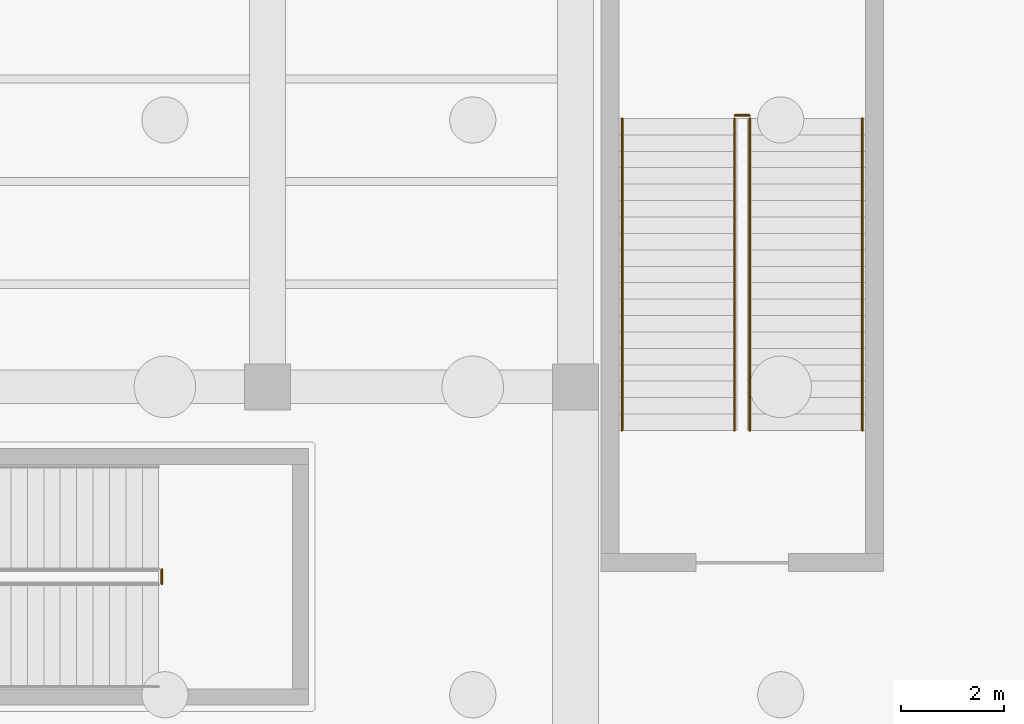
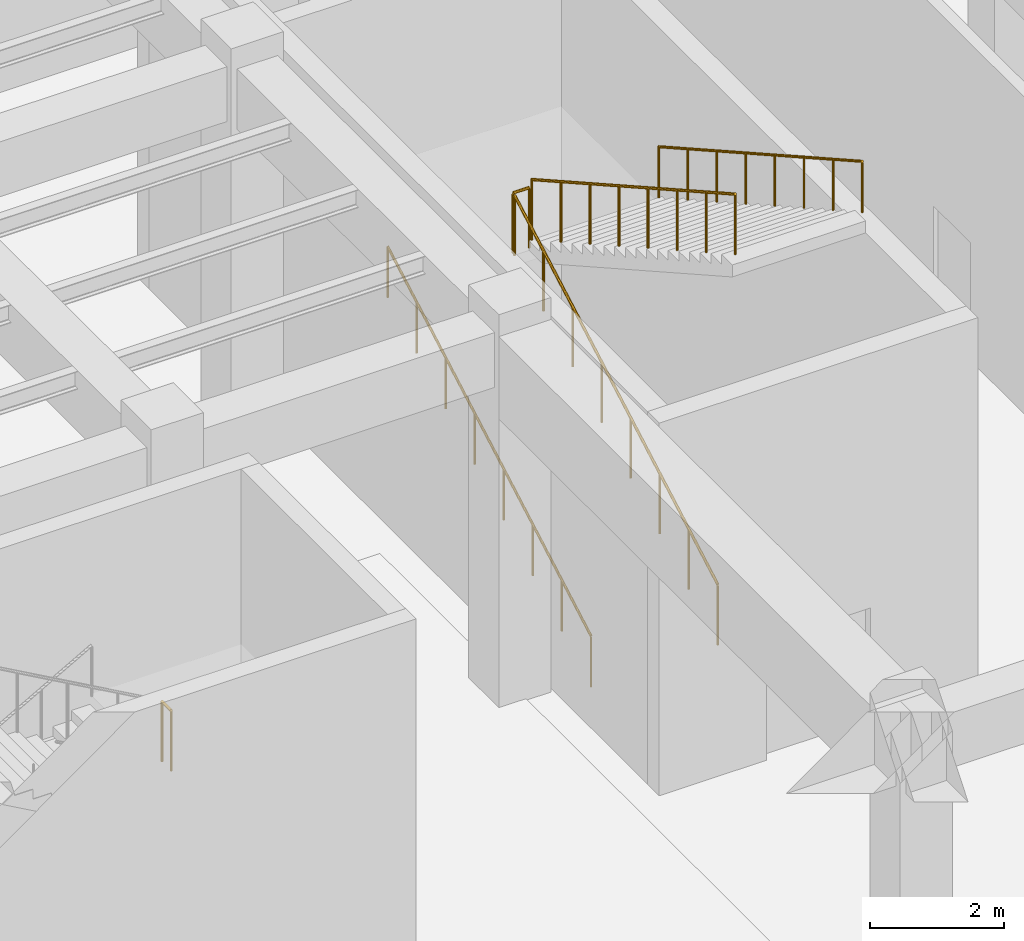
# One storey, part 28 of 30: 6 railings, 2 elements without a shape of their own.
"""IFC4 building model written with IfcOpenShell, lengths in metres."""

from ifc_helpers import new_model, si_unit, direction, frame, origin, origin_2d, place, context, subcontext, project, spatial, circle, extrude, material, type_object, element, aggregate, save


model = new_model("IFC4")

# Units and contexts
model_context = context("Model", 3, precision=1e-05, world=origin(), true_north=direction((0.0, 1.0)))
body_context = subcontext(model_context, "Body", "Model", "MODEL_VIEW")
ifc_project = project(units=[si_unit("LENGTHUNIT", "METRE"), si_unit("AREAUNIT", "SQUARE_METRE"), si_unit("VOLUMEUNIT", "CUBIC_METRE"), si_unit("PLANEANGLEUNIT", "RADIAN"), si_unit("MASSUNIT", "GRAM", prefix="KILO")], contexts=[model_context])

# Site, building, storey
site_placement = place(None, origin())
site = spatial("IfcSite", under=ifc_project, at=site_placement, CompositionType="ELEMENT")
building_placement = place(site_placement, origin())
building = spatial("IfcBuilding", under=site, at=building_placement, Name="Kolvaren Corner Interchange", CompositionType="ELEMENT")
storey_placement = place(building_placement, frame((0.0, 0.0, -7.199951171875)))
storey = spatial("IfcBuildingStorey", under=building, at=storey_placement, Name="B1", CompositionType="ELEMENT", Elevation=-7.199951171875)

# Stair, railings
ifc_material_1 = material(Name="Concrete C35/45", Category="concrete")
stair_type_1 = type_object("IfcStairType", Name="ST-TR-2300", PredefinedType="HALF_TURN_STAIR", material=ifc_material_1)
stair_1_placement = place(storey_placement, origin())
stair_1 = element("IfcStair", 1, at=stair_1_placement, inside=storey, type_object=stair_type_1, Name="Core C4 East Concourse Transfer Stair B1 to L01 Stair", PredefinedType="HALF_TURN_STAIR")
ifc_material_2 = material(Name="Powder-Coated Steel Stairwell Guardrail", Category="steel")
railing_type_1 = type_object("IfcRailingType", Name="RLT-STAIR-GRD1120", PredefinedType="GUARDRAIL", material=ifc_material_2)
railing_1_placement = place(storey_placement, frame((117.10009765625, 53.14990234375, 0.179931640625)))
railing_1 = element("IfcRailing", 2, at=railing_1_placement, type_object=railing_type_1, Name="Core C4 East Concourse Transfer Stair B1 Lower Flight Well Guardrail", PredefinedType="GUARDRAIL", context=body_context, shape_type="SweptSolid", body=[
    extrude(circle(Radius=0.02392578125, at=origin_2d()), frame((0.0, 0.0, 1.09619140625), z_axis=(0.0, 0.871583014279, 0.490247946676), x_axis=(-1.0, 0.0, 0.0)), (0.0, 0.0, 1.0), 6.975830078125),
    extrude(circle(Radius=0.02001953125, at=origin_2d()), origin(), (0.0, 0.0, 1.0), 1.072021484375),
    extrude(circle(Radius=0.02001953125, at=origin_2d()), frame((0.0, 0.86865234375, 0.488525390625)), (0.0, 0.0, 1.0), 1.072021484375),
    extrude(circle(Radius=0.02001953125, at=origin_2d()), frame((0.0, 1.737060546875, 0.97705078125)), (0.0, 0.0, 1.0), 1.072021484375),
    extrude(circle(Radius=0.02001953125, at=origin_2d()), frame((0.0, 2.605712890625, 1.465576171875)), (0.0, 0.0, 1.0), 1.072021484375),
    extrude(circle(Radius=0.02001953125, at=origin_2d()), frame((0.0, 3.474365234375, 1.954345703125)), (0.0, 0.0, 1.0), 1.072021484375),
    extrude(circle(Radius=0.02001953125, at=origin_2d()), frame((0.0, 4.343017578125, 2.44287109375)), (0.0, 0.0, 1.0), 1.072021484375),
    extrude(circle(Radius=0.02001953125, at=origin_2d()), frame((0.0, 5.21142578125, 2.931396484375)), (0.0, 0.0, 1.0), 1.072021484375),
    extrude(circle(Radius=0.02001953125, at=origin_2d()), frame((0.0, 6.080078125, 3.419921875)), (0.0, 0.0, 1.0), 1.072021484375),
])
railing_2_placement = place(storey_placement, frame((117.110107421875, 59.2900390625, 3.599853515625)))
railing_2 = element("IfcRailing", 3, at=railing_2_placement, type_object=railing_type_1, Name="Core C4 East Concourse Transfer Stair B1 Half Landing Well Guardrail", PredefinedType="GUARDRAIL", context=body_context, shape_type="SweptSolid", body=[
    extrude(circle(Radius=0.02392578125, at=origin_2d()), frame((0.0, 0.0, 1.09619140625), z_axis=(1.0, 0.0, 0.0), x_axis=(0.0, 1.0, 0.0)), (0.0, 0.0, 1.0), 0.27978515625),
    extrude(circle(Radius=0.02001953125, at=origin_2d()), origin(), (0.0, 0.0, 1.0), 1.072021484375),
    extrude(circle(Radius=0.02001953125, at=origin_2d()), frame((0.27978515625, 0.0, 0.0)), (0.0, 0.0, 1.0), 1.072021484375),
])
railing_3_placement = place(storey_placement, frame((117.39990234375, 59.22998046875, 3.780029296875)))
railing_3 = element("IfcRailing", 4, at=railing_3_placement, type_object=railing_type_1, Name="Core C4 East Concourse Transfer Stair B1 Upper Flight Well Guardrail", PredefinedType="GUARDRAIL", context=body_context, shape_type="SweptSolid", body=[
    extrude(circle(Radius=0.02392578125, at=origin_2d()), frame((0.0, 0.0, 1.09619140625), z_axis=(0.0, -0.871583014279, 0.490247946676), x_axis=(1.0, 0.0, 0.0)), (0.0, 0.0, 1.0), 6.975830078125),
    extrude(circle(Radius=0.02001953125, at=origin_2d()), origin(), (0.0, 0.0, 1.0), 1.072021484375),
    extrude(circle(Radius=0.02001953125, at=origin_2d()), frame((0.0, -0.86865234375, 0.488525390625)), (0.0, 0.0, 1.0), 1.072021484375),
    extrude(circle(Radius=0.02001953125, at=origin_2d()), frame((0.0, -1.737060546875, 0.97705078125)), (0.0, 0.0, 1.0), 1.072021484375),
    extrude(circle(Radius=0.02001953125, at=origin_2d()), frame((0.0, -2.605712890625, 1.465576171875)), (0.0, 0.0, 1.0), 1.072021484375),
    extrude(circle(Radius=0.02001953125, at=origin_2d()), frame((0.0, -3.474365234375, 1.954345703125)), (0.0, 0.0, 1.0), 1.072021484375),
    extrude(circle(Radius=0.02001953125, at=origin_2d()), frame((0.0, -4.343017578125, 2.44287109375)), (0.0, 0.0, 1.0), 1.072021484375),
    extrude(circle(Radius=0.02001953125, at=origin_2d()), frame((0.0, -5.21142578125, 2.931396484375)), (0.0, 0.0, 1.0), 1.072021484375),
    extrude(circle(Radius=0.02001953125, at=origin_2d()), frame((0.0, -6.080078125, 3.419921875)), (0.0, 0.0, 1.0), 1.072021484375),
])

# Stair, railing
ifc_material_3 = material(Name="Concrete C35/45", Category="concrete")
stair_type_2 = type_object("IfcStairType", Name="ST-PL-2100", PredefinedType="HALF_TURN_STAIR", material=ifc_material_3)
stair_2_placement = place(storey_placement, origin())
stair_2 = element("IfcStair", 5, at=stair_2_placement, inside=storey, type_object=stair_type_2, Name="Metro Island Platform East Transfer Stair B1 to L01 Stair", PredefinedType="HALF_TURN_STAIR")
railing_4_placement = place(storey_placement, frame((105.93994140625, 50.43994140625, 3.599853515625)))
railing_4 = element("IfcRailing", 6, at=railing_4_placement, type_object=railing_type_1, Name="Metro Island Platform East Transfer Stair B1 Half Landing Well Guardrail", PredefinedType="GUARDRAIL", context=body_context, shape_type="SweptSolid", body=[
    extrude(circle(Radius=0.02392578125, at=origin_2d()), frame((0.0, 0.0, 1.09619140625), z_axis=(0.0, -1.0, 0.0), x_axis=(1.0, 0.0, 0.0)), (0.0, 0.0, 1.0), 0.280029296875),
    extrude(circle(Radius=0.02001953125, at=origin_2d()), origin(), (0.0, 0.0, 1.0), 1.072021484375),
    extrude(circle(Radius=0.02001953125, at=origin_2d()), frame((0.0, -0.280029296875, 0.0)), (0.0, 0.0, 1.0), 1.072021484375),
])
aggregate(stair_2, [railing_4])

# Railing
ifc_material_4 = material(Name="Brushed Stainless Steel Stair Handrail", Category="steel")
railing_type_2 = type_object("IfcRailingType", Name="RLT-STAIR-HR950", PredefinedType="HANDRAIL", material=ifc_material_4)
railing_5_placement = place(storey_placement, frame((114.909912109375, 53.14990234375, 0.179931640625)))
railing_5 = element("IfcRailing", 7, at=railing_5_placement, type_object=railing_type_2, Name="Core C4 East Concourse Transfer Stair B1 Lower Flight Wall Handrail", PredefinedType="HANDRAIL", context=body_context, shape_type="SweptSolid", body=[
    extrude(circle(Radius=0.02197265625, at=origin_2d()), frame((0.0, 0.0, 0.927978515625), z_axis=(0.0, 0.871583014279, 0.490247946676), x_axis=(-1.0, 0.0, 0.0)), (0.0, 0.0, 1.0), 6.975830078125),
    extrude(circle(Radius=0.01806640625, at=origin_2d()), origin(), (0.0, 0.0, 1.0), 0.906005859375),
    extrude(circle(Radius=0.01806640625, at=origin_2d()), frame((0.0, 0.86865234375, 0.488525390625)), (0.0, 0.0, 1.0), 0.906005859375),
    extrude(circle(Radius=0.01806640625, at=origin_2d()), frame((0.0, 1.737060546875, 0.97705078125)), (0.0, 0.0, 1.0), 0.906005859375),
    extrude(circle(Radius=0.01806640625, at=origin_2d()), frame((0.0, 2.605712890625, 1.465576171875)), (0.0, 0.0, 1.0), 0.906005859375),
    extrude(circle(Radius=0.01806640625, at=origin_2d()), frame((0.0, 3.474365234375, 1.954345703125)), (0.0, 0.0, 1.0), 0.906005859375),
    extrude(circle(Radius=0.01806640625, at=origin_2d()), frame((0.0, 4.343017578125, 2.44287109375)), (0.0, 0.0, 1.0), 0.906005859375),
    extrude(circle(Radius=0.01806640625, at=origin_2d()), frame((0.0, 5.21142578125, 2.931396484375)), (0.0, 0.0, 1.0), 0.906005859375),
    extrude(circle(Radius=0.01806640625, at=origin_2d()), frame((0.0, 6.080078125, 3.419921875)), (0.0, 0.0, 1.0), 0.906005859375),
])

railing_6_placement = place(storey_placement, frame((119.590087890625, 59.22998046875, 3.780029296875)))
railing_6 = element("IfcRailing", 8, at=railing_6_placement, type_object=railing_type_2, Name="Core C4 East Concourse Transfer Stair B1 Upper Flight Wall Handrail", PredefinedType="HANDRAIL", context=body_context, shape_type="SweptSolid", body=[
    extrude(circle(Radius=0.02197265625, at=origin_2d()), frame((0.0, 0.0, 0.927978515625), z_axis=(0.0, -0.871583014279, 0.490247946676), x_axis=(1.0, 0.0, 0.0)), (0.0, 0.0, 1.0), 6.975830078125),
    extrude(circle(Radius=0.01806640625, at=origin_2d()), origin(), (0.0, 0.0, 1.0), 0.906005859375),
    extrude(circle(Radius=0.01806640625, at=origin_2d()), frame((0.0, -0.86865234375, 0.488525390625)), (0.0, 0.0, 1.0), 0.906005859375),
    extrude(circle(Radius=0.01806640625, at=origin_2d()), frame((0.0, -1.737060546875, 0.97705078125)), (0.0, 0.0, 1.0), 0.906005859375),
    extrude(circle(Radius=0.01806640625, at=origin_2d()), frame((0.0, -2.605712890625, 1.465576171875)), (0.0, 0.0, 1.0), 0.906005859375),
    extrude(circle(Radius=0.01806640625, at=origin_2d()), frame((0.0, -3.474365234375, 1.954345703125)), (0.0, 0.0, 1.0), 0.906005859375),
    extrude(circle(Radius=0.01806640625, at=origin_2d()), frame((0.0, -4.343017578125, 2.44287109375)), (0.0, 0.0, 1.0), 0.906005859375),
    extrude(circle(Radius=0.01806640625, at=origin_2d()), frame((0.0, -5.21142578125, 2.931396484375)), (0.0, 0.0, 1.0), 0.906005859375),
    extrude(circle(Radius=0.01806640625, at=origin_2d()), frame((0.0, -6.080078125, 3.419921875)), (0.0, 0.0, 1.0), 0.906005859375),
])

aggregate(stair_1, [railing_1, railing_2, railing_3, railing_5, railing_6])

save(model, "model.ifc")
